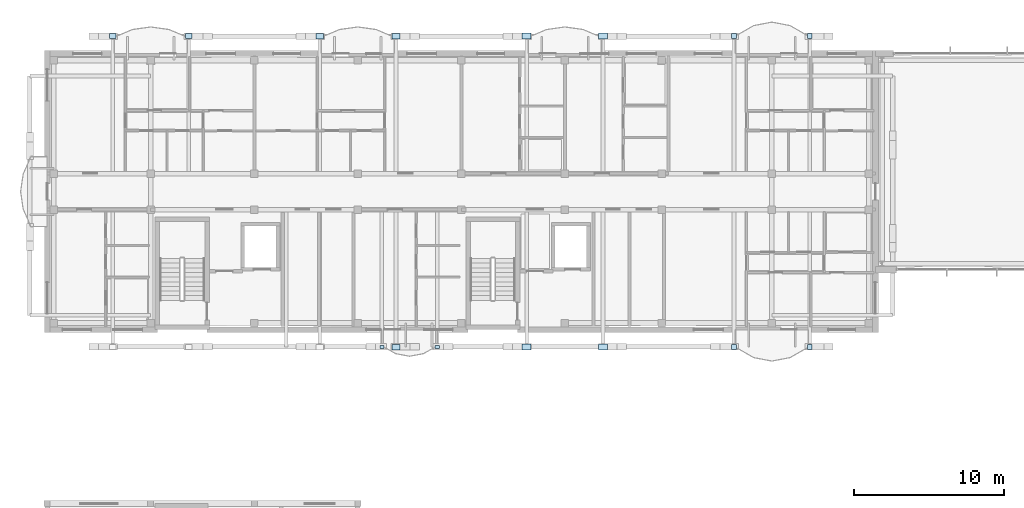
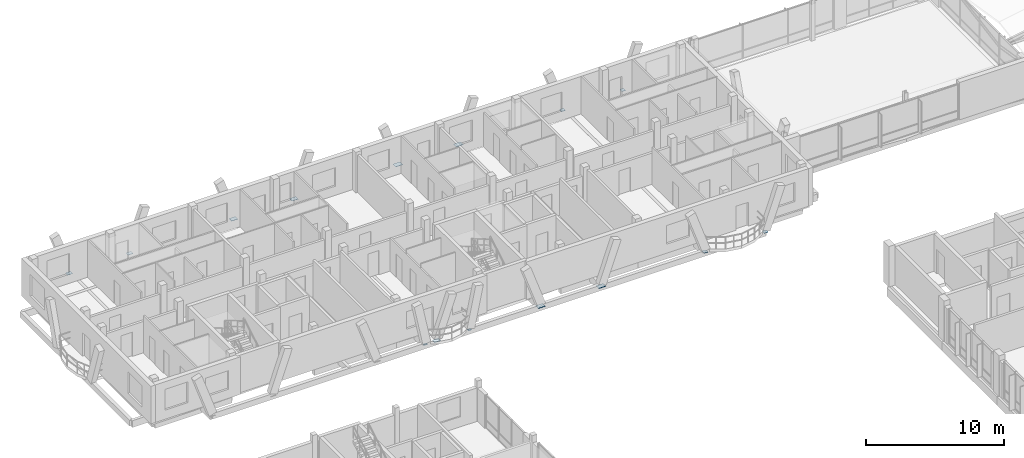
# One storey, part 137 of 189: 15 plates.
"""IFC4 building model written with IfcOpenShell, lengths in metres."""

from ifc_helpers import new_model, si_unit, direction, frame, origin, origin_2d, place, context, subcontext, project, spatial, rectangle, extrude, material, layer, layer_set, type_object, element, save


model = new_model("IFC4")

# Units and contexts
model_context = context("Model", 3, precision=1e-05, world=origin(), true_north=direction((0.0, 1.0)))
body_context = subcontext(model_context, "Body", "Model", "MODEL_VIEW")
ifc_project = project(units=[si_unit("LENGTHUNIT", "METRE"), si_unit("AREAUNIT", "SQUARE_METRE"), si_unit("VOLUMEUNIT", "CUBIC_METRE"), si_unit("PLANEANGLEUNIT", "RADIAN"), si_unit("MASSUNIT", "GRAM", prefix="KILO")], contexts=[model_context])

# Site, building, storey
site_placement = place(None, origin())
site = spatial("IfcSite", under=ifc_project, at=site_placement, CompositionType="ELEMENT")
building_placement = place(site_placement, origin())
building = spatial("IfcBuilding", under=site, at=building_placement, Name="Zavelmont Quarter", CompositionType="ELEMENT")
storey_placement = place(building_placement, frame((0.0, 0.0, 4.39990234375)))
storey = spatial("IfcBuildingStorey", under=building, at=storey_placement, Name="L01", CompositionType="ELEMENT", Elevation=4.39990234375)

# Plates
ifc_material = material(Name="Steel S355", Category="steel")
ifc_layer_1 = layer(ifc_material, 0.02001953125)
ifc_layer_set_1 = layer_set([ifc_layer_1], Name="Steel S355")
plate_type_1 = type_object("IfcPlateType", Name="NP01", PredefinedType="SHEET", material=ifc_layer_set_1)
for number, where, z_axis, x_axis, name in (
    (1, (22.3046875, 96.43798828125, -0.2099609375), (0.0, 0.0, 1.0), (1.0, 0.0, 0.0), "L01 steel connection plate NP01 at 4/P"),
    (2, (25.995361328125, 96.43798828125, -0.2099609375), (0.0, 0.0, 1.0), (1.0, 0.0, 0.0), "L01 steel connection plate NP01 at 5/P"),
):
    element("IfcPlate", number, at=place(storey_placement, frame(where, z_axis=z_axis, x_axis=x_axis)), inside=storey, type_object=plate_type_1, Name=name, PredefinedType="SHEET", context=body_context, shape_type="SweptSolid", body=[
        extrude(rectangle(XDim=0.280029296875, YDim=0.179931640625, at=origin_2d()), origin(), (0.0, 0.0, 1.0), 0.02001953125),
    ])
ifc_layer_2 = layer(ifc_material, 0.02490234375)
ifc_layer_set_2 = layer_set([ifc_layer_2], Name="Steel S355")
plate_type_2 = type_object("IfcPlateType", Name="NP03", PredefinedType="SHEET", material=ifc_layer_set_2)
for number, where, z_axis, x_axis, name in (
    (3, (4.36083984375, 117.162109375, -0.21240234375), (0.0, 0.0, 1.0), (1.0, 0.0, 0.0), "L01 steel connection plate NP03 at 2/S"),
    (4, (9.439208984375, 117.162109375, -0.21240234375), (0.0, 0.0, 1.0), (1.0, 0.0, 0.0), "L01 steel connection plate NP03 at 2/S"),
):
    element("IfcPlate", number, at=place(storey_placement, frame(where, z_axis=z_axis, x_axis=x_axis)), inside=storey, type_object=plate_type_2, Name=name, PredefinedType="SHEET", context=body_context, shape_type="SweptSolid", body=[
        extrude(rectangle(XDim=0.43994140625, YDim=0.320068359375, at=origin_2d()), origin(), (0.0, 0.0, 1.0), 0.02490234375),
    ])
ifc_layer_3 = layer(ifc_material, 0.028076171875)
ifc_layer_set_3 = layer_set([ifc_layer_3], Name="Steel S355")
plate_type_3 = type_object("IfcPlateType", Name="NP04", PredefinedType="SHEET", material=ifc_layer_set_3)
for number, where, z_axis, x_axis, name in (
    (5, (18.160888671875, 117.162109375, -0.2138671875), (0.0, 0.0, 1.0), (1.0, 0.0, 0.0), "L01 steel connection plate NP04 at 4/S"),
    (6, (23.2392578125, 117.162109375, -0.2138671875), (0.0, 0.0, 1.0), (1.0, 0.0, 0.0), "L01 steel connection plate NP04 at 4/S"),
    (7, (23.2392578125, 96.43798828125, -0.2138671875), (0.0, 0.0, 1.0), (1.0, 0.0, 0.0), "L01 steel connection plate NP04 at 4/P"),
):
    element("IfcPlate", number, at=place(storey_placement, frame(where, z_axis=z_axis, x_axis=x_axis)), inside=storey, type_object=plate_type_3, Name=name, PredefinedType="SHEET", context=body_context, shape_type="SweptSolid", body=[
        extrude(rectangle(XDim=0.52001953125, YDim=0.360107421875, at=origin_2d()), origin(), (0.0, 0.0, 1.0), 0.028076171875),
    ])
ifc_layer_4 = layer(ifc_material, 0.030029296875)
ifc_layer_set_4 = layer_set([ifc_layer_4], Name="Steel S355")
plate_type_4 = type_object("IfcPlateType", Name="NP05", PredefinedType="SHEET", material=ifc_layer_set_4)
for number, where, z_axis, x_axis, name in (
    (8, (31.960693359375, 117.162109375, -0.21484375), (0.0, 0.0, 1.0), (1.0, 0.0, 0.0), "L01 steel connection plate NP05 at 6/S"),
    (9, (37.039306640625, 117.162109375, -0.21484375), (0.0, 0.0, 1.0), (1.0, 0.0, 0.0), "L01 steel connection plate NP05 at 6/S"),
    (10, (31.960693359375, 96.43798828125, -0.21484375), (0.0, 0.0, 1.0), (1.0, 0.0, 0.0), "L01 steel connection plate NP05 at 6/P"),
    (11, (37.039306640625, 96.43798828125, -0.21484375), (0.0, 0.0, 1.0), (1.0, 0.0, 0.0), "L01 steel connection plate NP05 at 6/P"),
):
    element("IfcPlate", number, at=place(storey_placement, frame(where, z_axis=z_axis, x_axis=x_axis)), inside=storey, type_object=plate_type_4, Name=name, PredefinedType="SHEET", context=body_context, shape_type="SweptSolid", body=[
        extrude(rectangle(XDim=0.60009765625, YDim=0.39990234375, at=origin_2d()), origin(), (0.0, 0.0, 1.0), 0.030029296875),
    ])
ifc_layer_5 = layer(ifc_material, 0.02197265625)
ifc_layer_set_5 = layer_set([ifc_layer_5], Name="Steel S355")
plate_type_5 = type_object("IfcPlateType", Name="NP06", PredefinedType="SHEET", material=ifc_layer_set_5)
for number, where, z_axis, x_axis, name in (
    (12, (45.773193359375, 117.162109375, -0.2109375), (0.0, 0.0, 1.0), (1.0, 0.0, 0.0), "L01 steel connection plate NP06 at 8/S"),
    (13, (50.82666015625, 117.162109375, -0.2109375), (0.0, 0.0, 1.0), (1.0, 0.0, 0.0), "L01 steel connection plate NP06 at 8/S"),
    (14, (45.773193359375, 96.43798828125, -0.2109375), (0.0, 0.0, 1.0), (1.0, 0.0, 0.0), "L01 steel connection plate NP06 at 8/P"),
    (15, (50.82666015625, 96.43798828125, -0.2109375), (0.0, 0.0, 1.0), (1.0, 0.0, 0.0), "L01 steel connection plate NP06 at 8/P"),
):
    element("IfcPlate", number, at=place(storey_placement, frame(where, z_axis=z_axis, x_axis=x_axis)), inside=storey, type_object=plate_type_5, Name=name, PredefinedType="SHEET", context=body_context, shape_type="SweptSolid", body=[
        extrude(rectangle(XDim=0.320068359375, YDim=0.320068359375, at=origin_2d()), origin(), (0.0, 0.0, 1.0), 0.02197265625),
    ])

save(model, "model.ifc")
